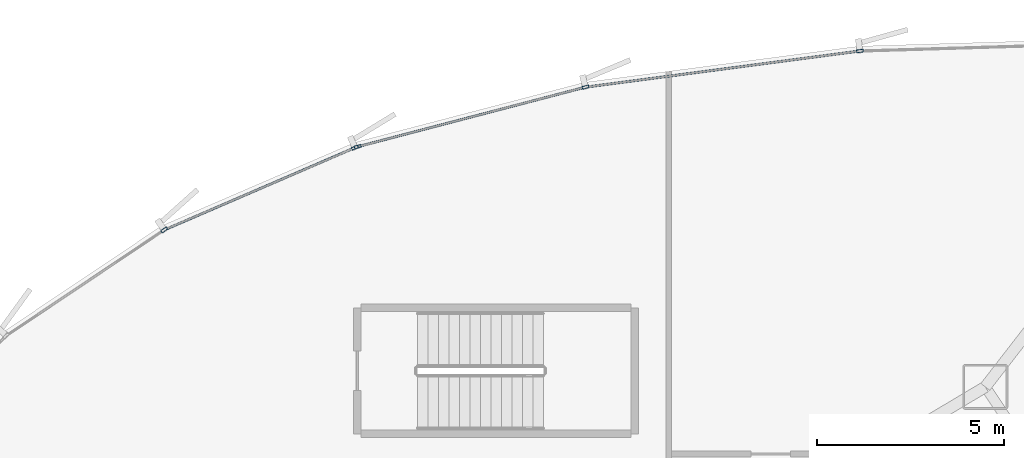
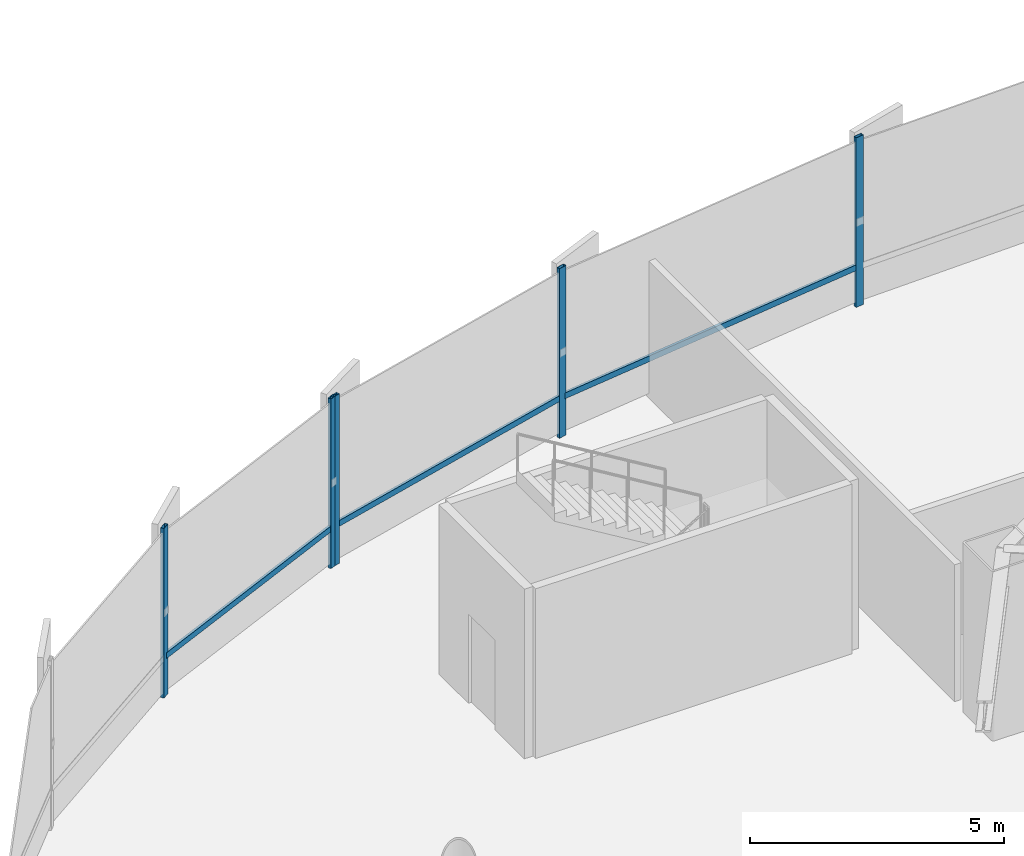
# One storey, part 12 of 34: 8 members, 2 elements without a shape of their own.
"""IFC4 building model written with IfcOpenShell, lengths in metres."""

import ifcopenshell
import ifcopenshell.guid

model = None  # the IFC model being written
_history = None  # IfcOwnerHistory: only IFC2X3 demands one
_inside = {}  # id of a spatial element -> (the spatial element, [elements in it])
_under = {}  # id of a project, library or spatial element -> (it, [spatial elements below it])
_declared = {}  # id of a project -> (the project, [libraries it declares])
_typed = {}  # id of a type object -> (the type object, [elements of that type])
_made_of = {}  # id of a material, layer set ... -> (it, [elements and type objects made of it])


def new_model(schema):
    """Start an empty IFC model of exactly this schema.

    Asked for "IFC4X3", IfcOpenShell would pick the latest addendum, in which some entities
    have other attributes; the version numbers below select the first issue.
    IFC2X3 requires an IfcOwnerHistory on every rooted entity: one is made here for all.
    """
    global model, _history
    if schema == "IFC4X3":
        model = ifcopenshell.file(schema_version=(4, 3, 0, 0))
    else:
        model = ifcopenshell.file(schema=schema)
    _inside.clear()
    _under.clear()
    _declared.clear()
    _typed.clear()
    _made_of.clear()
    _history = None
    if model.schema == "IFC2X3":
        org = make("IfcOrganization", Name="unknown")
        user = make(
            "IfcPersonAndOrganization",
            ThePerson=make("IfcPerson", FamilyName="unknown"),
            TheOrganization=org,
        )
        app = make(
            "IfcApplication",
            ApplicationDeveloper=org,
            Version="unknown",
            ApplicationFullName="unknown",
            ApplicationIdentifier="unknown",
        )
        _history = make(
            "IfcOwnerHistory",
            OwningUser=user,
            OwningApplication=app,
            ChangeAction="ADDED",
            CreationDate=0,
        )
    return model


def make(cls, **values):
    """One entity of the class cls with the attributes given. An attribute that is None is left unset."""
    return model.create_entity(
        cls, **{name: value for name, value in values.items() if value is not None}
    )


def rooted(cls, **values):
    """An entity with a GlobalId (a new one), such as an element, a storey or a relation."""
    return make(cls, GlobalId=ifcopenshell.guid.new(), OwnerHistory=_history, **values)


def si_unit(unit_type, name, prefix=None):
    """IfcSIUnit, for example si_unit("LENGTHUNIT", "METRE", prefix="MILLI")."""
    return make("IfcSIUnit", UnitType=unit_type, Prefix=prefix, Name=name)


def assignment(units):
    """IfcUnitAssignment: the units of a project."""
    return None if units is None else make("IfcUnitAssignment", Units=units)


def point(xyz):
    """IfcCartesianPoint."""
    return None if xyz is None else make("IfcCartesianPoint", Coordinates=xyz)


def direction(xyz):
    """IfcDirection."""
    return None if xyz is None else make("IfcDirection", DirectionRatios=xyz)


def frame(location, z_axis=None, x_axis=None):
    """IfcAxis2Placement3D, a coordinate frame: its origin and axes. An axis left out is left unset."""
    return make(
        "IfcAxis2Placement3D",
        Location=point(location),
        Axis=direction(z_axis),
        RefDirection=direction(x_axis),
    )


def frame_2d(location, x_axis=None):
    """IfcAxis2Placement2D, a coordinate frame in the plane: its origin and x axis."""
    return make(
        "IfcAxis2Placement2D", Location=point(location), RefDirection=direction(x_axis)
    )


def origin():
    """The frame at (0, 0, 0) with its axes left unset."""
    return frame((0.0, 0.0, 0.0))


def origin_2d():
    """The frame at (0, 0) in the plane with its x axis left unset."""
    return frame_2d((0.0, 0.0))


def place(relative_to, where):
    """IfcLocalPlacement: puts the frame where relative to a parent placement (None: the world)."""
    return make(
        "IfcLocalPlacement", PlacementRelTo=relative_to, RelativePlacement=where
    )


def context(
    kind, dimensions, precision=None, world=None, true_north=None, identifier=None
):
    """IfcGeometricRepresentationContext, for example the 3D "Model" context."""
    return make(
        "IfcGeometricRepresentationContext",
        ContextIdentifier=identifier,
        ContextType=kind,
        CoordinateSpaceDimension=dimensions,
        Precision=precision,
        WorldCoordinateSystem=world,
        TrueNorth=true_north,
    )


def subcontext(parent, identifier, kind, view, scale=None):
    """IfcGeometricRepresentationSubContext, for example "Body" below "Model"."""
    return make(
        "IfcGeometricRepresentationSubContext",
        ContextIdentifier=identifier,
        ContextType=kind,
        ParentContext=parent,
        TargetScale=scale,
        TargetView=view,
    )


def project(units=None, contexts=None):
    """IfcProject with its units and contexts."""
    return rooted(
        "IfcProject",
        Name="project",
        RepresentationContexts=contexts,
        UnitsInContext=assignment(units),
    )


def spatial(cls, under=None, at=None, **own):
    """A site, building, storey or space (cls), placed at a placement, below another one or the project."""
    s = rooted(cls, ObjectPlacement=at, **own)
    if under is not None:
        _under.setdefault(under.id(), (under, []))[1].append(s)
    return s


def profile(cls, at=None, kind="AREA", **sizes):
    """A parametric profile (cls). Its sizes go by their IFC names, for example OverallWidth=200.0."""
    return make(cls, ProfileType=kind, Position=at, **sizes)


def hollow_rectangle(**sizes):
    """IfcRectangleHollowProfileDef."""
    return profile("IfcRectangleHollowProfileDef", **sizes)


def extrude(swept, where, along, depth):
    """IfcExtrudedAreaSolid: the profile swept, set in the frame where, extruded along a direction by depth."""
    return make(
        "IfcExtrudedAreaSolid",
        SweptArea=swept,
        Position=where,
        ExtrudedDirection=direction(along),
        Depth=depth,
    )


def shape(context_of_items, identifier, shape_type, items):
    """IfcShapeRepresentation: the items that make up one representation, for example the "Body"."""
    return make(
        "IfcShapeRepresentation",
        ContextOfItems=context_of_items,
        RepresentationIdentifier=identifier,
        RepresentationType=shape_type,
        Items=items,
    )


def source(mapping_origin, context_of_items, identifier, shape_type, items):
    """IfcRepresentationMap: a shape defined once, which mapped items show again and again."""
    return make(
        "IfcRepresentationMap",
        MappingOrigin=mapping_origin,
        MappedRepresentation=shape(context_of_items, identifier, shape_type, items),
    )


def transform(
    local_origin,
    x_axis=None,
    y_axis=None,
    z_axis=None,
    scale=None,
    scale2=None,
    scale3=None,
    uniform=True,
):
    """IfcCartesianTransformationOperator3D, or its non-uniform kind. x_axis, y_axis, z_axis: its Axis1, 2, 3."""
    if uniform:
        return make(
            "IfcCartesianTransformationOperator3D",
            Axis1=direction(x_axis),
            Axis2=direction(y_axis),
            LocalOrigin=point(local_origin),
            Scale=scale,
            Axis3=direction(z_axis),
        )
    return make(
        "IfcCartesianTransformationOperator3DnonUniform",
        Axis1=direction(x_axis),
        Axis2=direction(y_axis),
        LocalOrigin=point(local_origin),
        Scale=scale,
        Axis3=direction(z_axis),
        Scale2=scale2,
        Scale3=scale3,
    )


def mapped(mapping_source, mapping_target):
    """IfcMappedItem: shows the shape of a source again, moved by a transform."""
    return make(
        "IfcMappedItem", MappingSource=mapping_source, MappingTarget=mapping_target
    )


def material(Name=None, Category=None):
    """IfcMaterial."""
    return make("IfcMaterial", Name=Name, Category=Category)


def layer(
    of_material, thickness, ventilated=None, Name=None, Category=None, Priority=None
):
    """IfcMaterialLayer: one layer of a wall or slab, of a material (None: an air gap)."""
    return make(
        "IfcMaterialLayer",
        Material=of_material,
        LayerThickness=thickness,
        IsVentilated=ventilated,
        Name=Name,
        Category=Category,
        Priority=Priority,
    )


def layer_set(layers, Name=None):
    """IfcMaterialLayerSet."""
    return make("IfcMaterialLayerSet", MaterialLayers=layers, LayerSetName=Name)


def material_profile(
    of_material, cross_section, Name=None, Category=None, Priority=None
):
    """IfcMaterialProfile: a cross section and its material."""
    return make(
        "IfcMaterialProfile",
        Name=Name,
        Material=of_material,
        Profile=cross_section,
        Priority=Priority,
        Category=Category,
    )


def profile_set(profiles, Name=None, composite=None):
    """IfcMaterialProfileSet."""
    return make(
        "IfcMaterialProfileSet",
        Name=Name,
        MaterialProfiles=profiles,
        CompositeProfile=composite,
    )


def made_of(thing, what):
    """Note that an element or type object is made of a material, layer set ...; save() writes the relation."""
    if what is not None:
        _made_of.setdefault(what.id(), (what, []))[1].append(thing)
    return thing


def type_object(cls, material=None, **own):
    """A type object (cls), such as IfcWallType, which elements share."""
    return made_of(rooted(cls, **own), material)


def element(
    cls,
    number,
    at=None,
    inside=None,
    cuts=None,
    type_object=None,
    material=None,
    context=None,
    identifier="Body",
    shape_type=None,
    held_by="IfcProductDefinitionShape",
    body=None,
    shapes=None,
    **own,
):
    """One element of the class cls, such as IfcWall. Its Tag is "e" and its number.

    at: its placement. inside: the storey or other place that contains it. cuts: it is an
    opening in that element (IfcRelVoidsElement). A single representation is given by context,
    identifier, shape_type and body (its items); several are given by shapes. held_by: the class
    of the entity that holds the representations. save() writes the other relations.
    """
    e = rooted(cls, Tag="e%d" % number, ObjectPlacement=at, **own)
    if body is not None:
        shapes = [shape(context, identifier, shape_type, body)]
    if shapes is not None:
        e.Representation = make(held_by, Representations=shapes)
    if inside is not None:
        _inside.setdefault(inside.id(), (inside, []))[1].append(e)
    if cuts is not None:
        rooted(
            "IfcRelVoidsElement", RelatingBuildingElement=cuts, RelatedOpeningElement=e
        )
    if type_object is not None:
        _typed.setdefault(type_object.id(), (type_object, []))[1].append(e)
    return made_of(e, material)


def aggregate(whole, parts):
    """IfcRelAggregates: a whole, such as a stair, and the parts it consists of."""
    return rooted("IfcRelAggregates", RelatingObject=whole, RelatedObjects=parts)


def save(model, path):
    """Write the relations noted so far, then the file.

    IfcRelAggregates (storeys below a building ...), IfcRelContainedInSpatialStructure (elements
    in a storey), IfcRelDefinesByType, IfcRelAssociatesMaterial and IfcRelDeclares: one each for
    every whole, place, type object, material and project.
    """
    for whole, parts in _under.values():
        aggregate(whole, parts)
    for where, things in _inside.values():
        rooted(
            "IfcRelContainedInSpatialStructure",
            RelatedElements=things,
            RelatingStructure=where,
        )
    for kind, things in _typed.values():
        rooted("IfcRelDefinesByType", RelatedObjects=things, RelatingType=kind)
    for what, things in _made_of.values():
        rooted("IfcRelAssociatesMaterial", RelatedObjects=things, RelatingMaterial=what)
    for by, libraries in _declared.values():
        rooted("IfcRelDeclares", RelatingContext=by, RelatedDefinitions=libraries)
    model.write(path)


model = new_model("IFC4")

# Units and contexts
model_context = context("Model", 3, precision=1e-05, world=origin(), true_north=direction((0.0, 1.0)))
body_context = subcontext(model_context, "Body", "Model", "MODEL_VIEW")
ifc_project = project(units=[si_unit("LENGTHUNIT", "METRE"), si_unit("AREAUNIT", "SQUARE_METRE"), si_unit("VOLUMEUNIT", "CUBIC_METRE"), si_unit("PLANEANGLEUNIT", "RADIAN"), si_unit("MASSUNIT", "GRAM", prefix="KILO"), si_unit("THERMODYNAMICTEMPERATUREUNIT", "KELVIN")], contexts=[model_context])

# Site, building, storey
site_placement = place(None, origin())
site = spatial("IfcSite", under=ifc_project, at=site_placement, CompositionType="ELEMENT")
building_placement = place(site_placement, origin())
building = spatial("IfcBuilding", under=site, at=building_placement, Name="Kethvar Cultural Tower", CompositionType="ELEMENT")
storey_placement = place(building_placement, frame((0.0, 0.0, 19.60009765625)))
storey = spatial("IfcBuildingStorey", under=building, at=storey_placement, Name="L04", CompositionType="ELEMENT", Elevation=19.60009765625)

# Curtain wall, member
ifc_material = material(Name="Aluminium 6063-T6", Category="aluminium")
ifc_layer = layer(ifc_material, 0.179931640625, Name="Aluminium 6063-T6", Category="aluminium")
ifc_layer_set = layer_set([ifc_layer], Name="Aluminium 6063-T6 (180 mm)")
curtain_wall_type = type_object("IfcCurtainWallType", Name="CW-SYS-01-POD", PredefinedType="NOTDEFINED", material=ifc_layer_set)
curtain_wall_1_placement = place(storey_placement, origin())
curtain_wall_1 = element("IfcCurtainWall", 1, at=curtain_wall_1_placement, inside=storey, type_object=curtain_wall_type, Name="L04 Curtain Wall Run 03", PredefinedType="NOTDEFINED")
ifc_material_profile_1 = material_profile(ifc_material, hollow_rectangle(XDim=0.06005859375, YDim=0.139892578125, WallThickness=0.0048828125, at=origin_2d()), Name="Aluminium 6063-T6 — RHS140x60x5")
ifc_profile_set_1 = profile_set([ifc_material_profile_1], Name="Aluminium 6063-T6 — RHS140x60x5")
member_type_1 = type_object("IfcMemberType", Name="CW-SYS-01-POD-TRN", PredefinedType="USERDEFINED", material=ifc_profile_set_1)
shared_shape_1 = source(origin(), body_context, "Body", "SweptSolid", [
    extrude(hollow_rectangle(XDim=0.06005859375, YDim=0.139892578125, WallThickness=0.0048828125, at=origin_2d()), origin(), (0.0, 0.0, 1.0), 5.504638671875),
])
member_1_placement = place(storey_placement, frame((17.82861328125, 52.3681640625, 0.949951171875), z_axis=(-0.918072625283, -0.39641222825, 0.0), x_axis=(0.39641222825, -0.918072625283, 0.0)))
member_1 = element("IfcMember", 2, at=member_1_placement, type_object=member_type_1, Name="CW-L04-R03 Transom 1", ObjectType="TRANSOM", PredefinedType="USERDEFINED", context=body_context, shape_type="MappedRepresentation", body=[
    mapped(shared_shape_1, transform((0.0, 0.0, 0.0), scale=1.0)),
])

# Curtain wall, members
curtain_wall_2_placement = place(storey_placement, origin())
curtain_wall_2 = element("IfcCurtainWall", 3, at=curtain_wall_2_placement, inside=storey, type_object=curtain_wall_type, Name="L04 Curtain Wall Run 02", PredefinedType="NOTDEFINED")
shared_shape_2 = source(origin(), body_context, "Body", "SweptSolid", [
    extrude(hollow_rectangle(XDim=0.06005859375, YDim=0.139892578125, WallThickness=0.0048828125, at=origin_2d()), origin(), (0.0, 0.0, 1.0), 7.28955078125),
])
member_2_placement = place(storey_placement, frame((31.24755859375, 54.94091796875, 0.949951171875), z_axis=(-0.9914326226, -0.13061912128, 0.0), x_axis=(0.13061912128, -0.9914326226, 0.0)))
member_2 = element("IfcMember", 4, at=member_2_placement, type_object=member_type_1, Name="CW-L04-R02 Transom 5", ObjectType="TRANSOM", PredefinedType="USERDEFINED", context=body_context, shape_type="MappedRepresentation", body=[
    mapped(shared_shape_2, transform((0.0, 0.0, 0.0), scale=1.0)),
])
shared_shape_3 = source(origin(), body_context, "Body", "SweptSolid", [
    extrude(hollow_rectangle(XDim=0.06005859375, YDim=0.139892578125, WallThickness=0.0048828125, at=origin_2d()), origin(), (0.0, 0.0, 1.0), 6.221435546875),
])
member_3_placement = place(storey_placement, frame((23.930908203125, 53.97119140625, 0.949951171875), z_axis=(-0.967458727109, -0.253028874519, 0.0), x_axis=(0.253028874519, -0.967458727109, 0.0)))
member_3 = element("IfcMember", 5, at=member_3_placement, type_object=member_type_1, Name="CW-L04-R02 Transom 6", ObjectType="TRANSOM", PredefinedType="USERDEFINED", context=body_context, shape_type="MappedRepresentation", body=[
    mapped(shared_shape_3, transform((0.0, 0.0, 0.0), scale=1.0)),
])
ifc_material_profile_2 = material_profile(ifc_material, hollow_rectangle(XDim=0.074951171875, YDim=0.179931640625, WallThickness=0.006103515625, at=origin_2d()), Name="Aluminium 6063-T6 — RHS180x75x6")
ifc_profile_set_2 = profile_set([ifc_material_profile_2], Name="Aluminium 6063-T6 — RHS180x75x6")
member_type_2 = type_object("IfcMemberType", Name="CW-SYS-01-POD-MUL", PredefinedType="MULLION", material=ifc_profile_set_2)
shared_shape_4 = source(origin(), body_context, "Body", "SweptSolid", [
    extrude(hollow_rectangle(XDim=0.074951171875, YDim=0.179931640625, WallThickness=0.006103515625, at=origin_2d()), origin(), (0.0, 0.0, 1.0), 4.079833984375),
])
member_4_placement = place(storey_placement, frame((31.301025390625, 54.947998046875, 0.0), z_axis=(0.0, 0.0, 1.0), x_axis=(0.130647319086, -0.991428907192, 0.0)))
member_4 = element("IfcMember", 6, at=member_4_placement, type_object=member_type_2, Name="CW-L04-R02 Mullion 5", PredefinedType="MULLION", context=body_context, shape_type="MappedRepresentation", body=[
    mapped(shared_shape_4, transform((0.0, 0.0, 0.0), scale=1.0)),
])
member_5_placement = place(storey_placement, frame((23.98291015625, 53.984619140625, 0.0), z_axis=(0.0, 0.0, 1.0), x_axis=(0.253031946887, -0.967457923558, 0.0)))
member_5 = element("IfcMember", 7, at=member_5_placement, type_object=member_type_2, Name="CW-L04-R02 Mullion 6", PredefinedType="MULLION", context=body_context, shape_type="MappedRepresentation", body=[
    mapped(shared_shape_4, transform((0.0, 0.0, 0.0), scale=1.0)),
])
member_6_placement = place(storey_placement, frame((17.90673828125, 52.3955078125, 0.0), z_axis=(0.0, 0.0, 1.0), x_axis=(0.253031946887, -0.967457923558, 0.0)))
member_6 = element("IfcMember", 8, at=member_6_placement, type_object=member_type_2, Name="CW-L04-R02 Mullion 7", PredefinedType="MULLION", context=body_context, shape_type="MappedRepresentation", body=[
    mapped(shared_shape_4, transform((0.0, 0.0, 0.0), scale=1.0)),
])
aggregate(curtain_wall_2, [member_4, member_5, member_6, member_2, member_3])

# Member
member_7_placement = place(storey_placement, frame((17.83349609375, 52.370361328125, 0.0), z_axis=(0.0, 0.0, 1.0), x_axis=(0.396410942082, -0.918073180633, 0.0)))
member_7 = element("IfcMember", 9, at=member_7_placement, type_object=member_type_2, Name="CW-L04-R03 Mullion 1", PredefinedType="MULLION", context=body_context, shape_type="MappedRepresentation", body=[
    mapped(shared_shape_4, transform((0.0, 0.0, 0.0), scale=1.0)),
])

member_8_placement = place(storey_placement, frame((12.74609375, 50.176025390625, 0.0), z_axis=(0.0, 0.0, 1.0), x_axis=(0.556556649514, -0.830809662848, 0.0)))
member_8 = element("IfcMember", 10, at=member_8_placement, type_object=member_type_2, Name="CW-L04-R03 Mullion 2", PredefinedType="MULLION", context=body_context, shape_type="MappedRepresentation", body=[
    mapped(shared_shape_4, transform((0.0, 0.0, 0.0), scale=1.0)),
])

aggregate(curtain_wall_1, [member_7, member_8, member_1])

save(model, "model.ifc")
